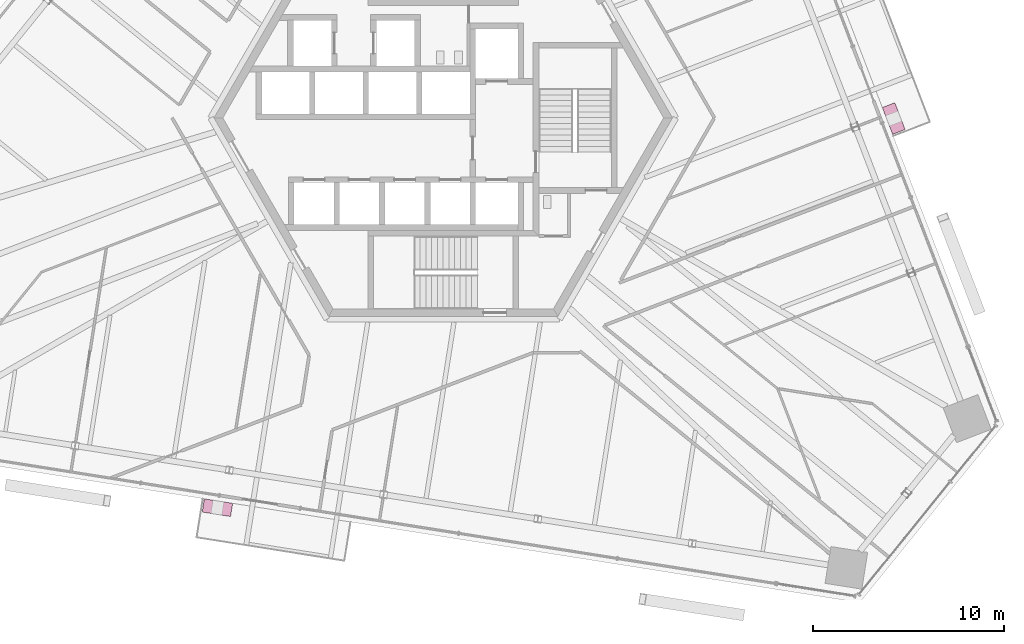
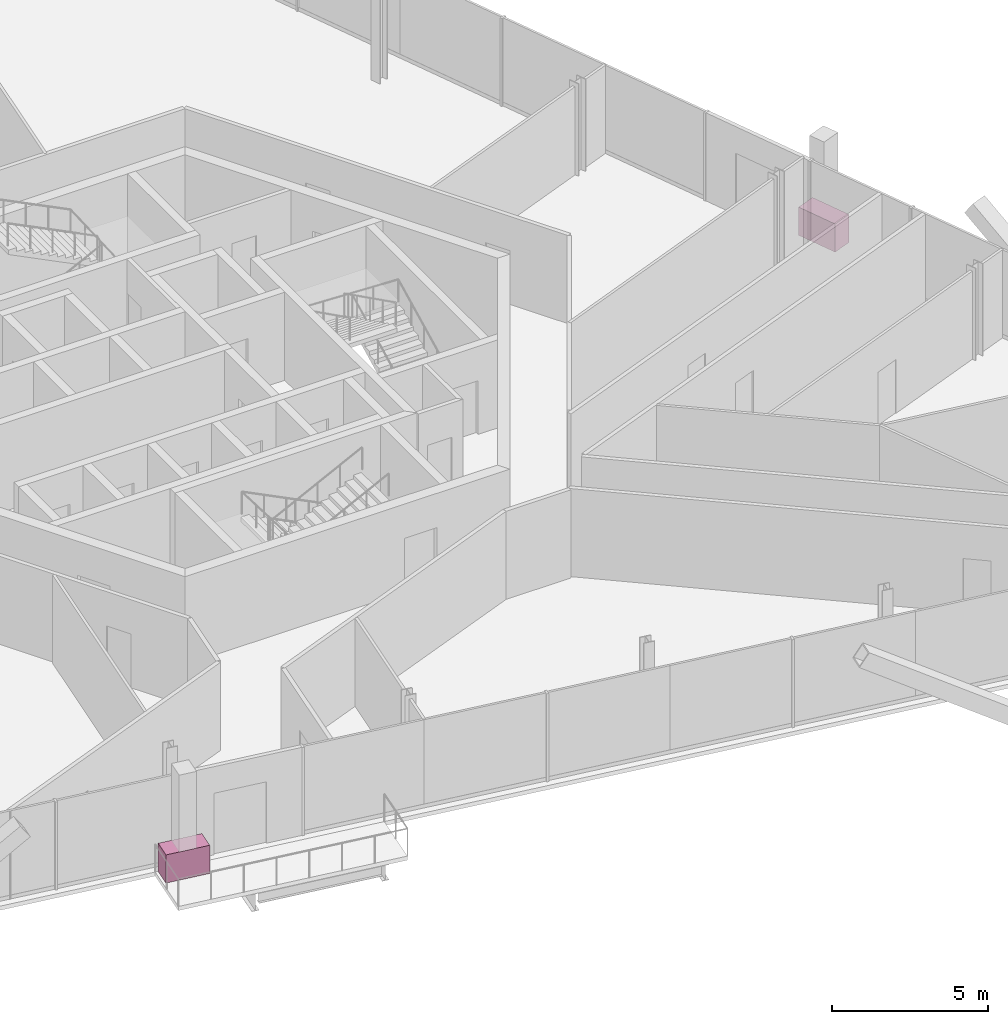
# One storey, part 18 of 19: 2 furniture elements.
"""IFC4 building model written with IfcOpenShell, lengths in metres."""

from ifc_helpers import new_model, si_unit, direction, frame, origin, origin_2d, place, context, subcontext, project, spatial, rectangle, extrude, source, transform, mapped, material, type_object, element, save


model = new_model("IFC4")

# Units and contexts
model_context = context("Model", 3, precision=1e-05, world=origin(), true_north=direction((0.0, 1.0)))
body_context = subcontext(model_context, "Body", "Model", "MODEL_VIEW")
ifc_project = project(units=[si_unit("LENGTHUNIT", "METRE"), si_unit("AREAUNIT", "SQUARE_METRE"), si_unit("VOLUMEUNIT", "CUBIC_METRE"), si_unit("PLANEANGLEUNIT", "RADIAN"), si_unit("MASSUNIT", "GRAM", prefix="KILO")], contexts=[model_context])

# Site, building, storey
site_placement = place(None, origin())
site = spatial("IfcSite", under=ifc_project, at=site_placement, CompositionType="ELEMENT")
building_placement = place(site_placement, origin())
building = spatial("IfcBuilding", under=site, at=building_placement, Name="Triune Harvest Tower", CompositionType="ELEMENT")
storey_placement = place(building_placement, frame((0.0, 0.0, 142.5)))
storey = spatial("IfcBuildingStorey", under=building, at=storey_placement, Name="L36", CompositionType="ELEMENT", Elevation=142.5)

# Furniture
ifc_material = material(Name="Concrete 40 MPa", Category="concrete")
furniture_type = type_object("IfcFurnitureType", Name="PB-1 structural planter", AssemblyPlace="SITE", PredefinedType="USERDEFINED", material=ifc_material)
shared_shape = source(origin(), body_context, "Body", "SweptSolid", [
    extrude(rectangle(XDim=1.5, YDim=0.699951171875, at=origin_2d()), origin(), (0.0, 0.0, 1.0), 1.10009765625),
])
for number, where, z_axis, x_axis, name in (
    (1, (23.5791015625, -0.033935546875, 0.0), (0.0, 0.0, 1.0), (-0.35836927228, 0.933579918746, 0.0), "Planter B4-F1 L36.5a"),
    (2, (-11.819091796875, -20.403076171875, 0.0), (0.0, 0.0, 1.0), (0.987688259912, -0.156434974453, 0.0), "Planter B4-F5 L36.5a"),
):
    element("IfcFurniture", number, at=place(storey_placement, frame(where, z_axis=z_axis, x_axis=x_axis)), inside=storey, type_object=furniture_type, Name=name, ObjectType="PLANTER", PredefinedType="USERDEFINED", context=body_context, shape_type="MappedRepresentation", body=[
        mapped(shared_shape, transform((0.0, 0.0, 0.0), scale=1.0)),
    ])

save(model, "model.ifc")
